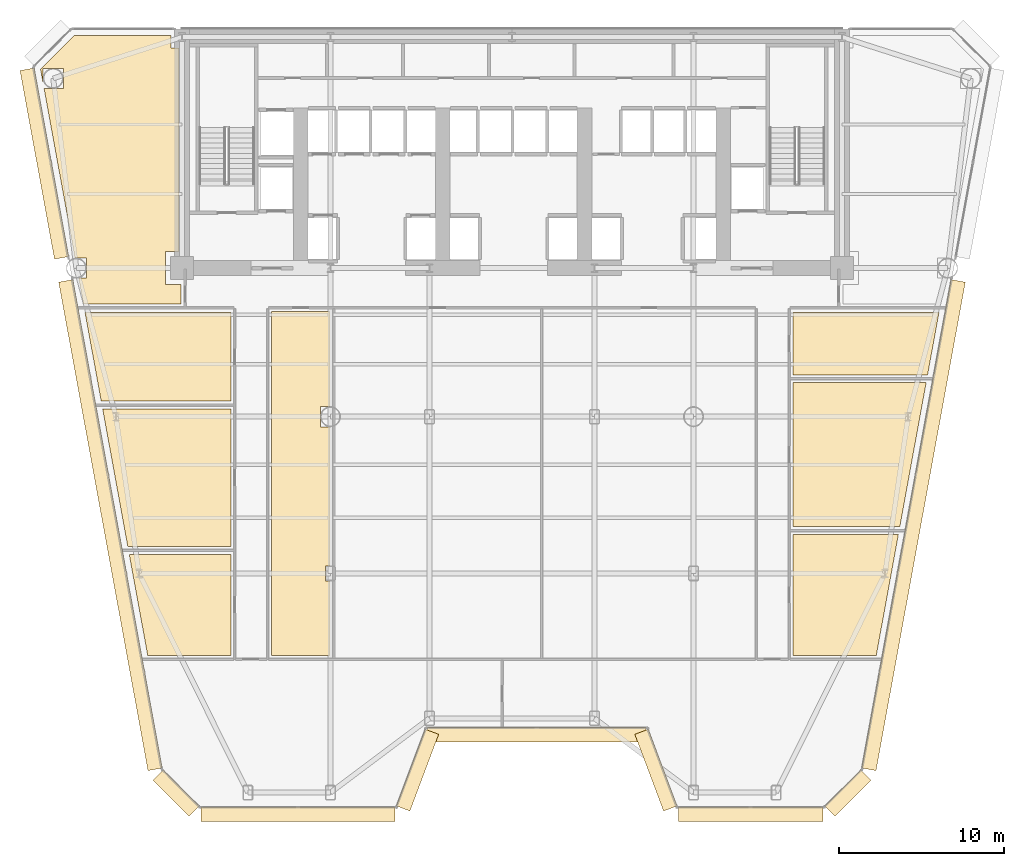
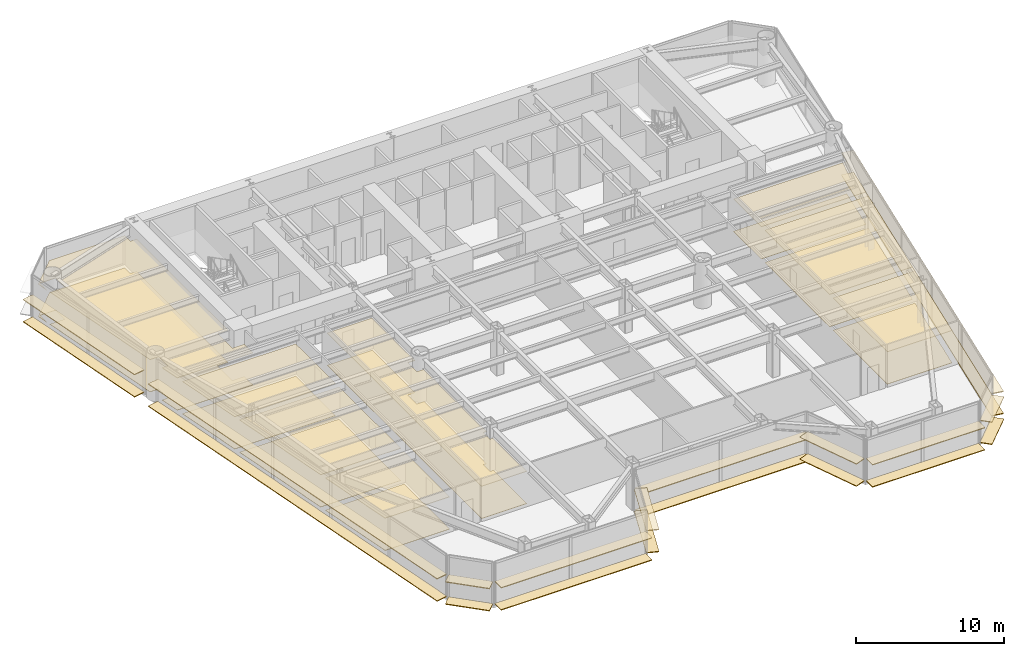
# One storey, part 11 of 14: 36 coverings.
"""IFC4 building model written with IfcOpenShell, lengths in metres."""

from ifc_helpers import new_model, si_unit, direction, frame, origin, origin_2d, place, context, subcontext, project, spatial, polyline, rectangle, outline, extrude, source, transform, mapped, material, layer, layer_set, type_object, element, save


model = new_model("IFC4")

# Units and contexts
model_context = context("Model", 3, precision=1e-05, world=origin(), true_north=direction((0.0, 1.0)))
body_context = subcontext(model_context, "Body", "Model", "MODEL_VIEW")
ifc_project = project(units=[si_unit("LENGTHUNIT", "METRE"), si_unit("AREAUNIT", "SQUARE_METRE"), si_unit("VOLUMEUNIT", "CUBIC_METRE"), si_unit("PLANEANGLEUNIT", "RADIAN"), si_unit("MASSUNIT", "GRAM", prefix="KILO")], contexts=[model_context])

# Site, building, storey
site_placement = place(None, origin())
site = spatial("IfcSite", under=ifc_project, at=site_placement, CompositionType="ELEMENT")
building_placement = place(site_placement, origin())
building = spatial("IfcBuilding", under=site, at=building_placement, Name="Vaeldorn Concourse Tower", CompositionType="ELEMENT")
storey_placement = place(building_placement, frame((0.0, 0.0, 79.60009765625)))
storey = spatial("IfcBuildingStorey", under=building, at=storey_placement, Name="L20", CompositionType="ELEMENT", Elevation=79.60009765625)

# Coverings
ifc_material_1 = material(Name="Acoustic Mineral Fibre Board", Category="gypsum")
ifc_layer_1 = layer(ifc_material_1, 0.0400390625)
ifc_layer_set_1 = layer_set([ifc_layer_1], Name="Acoustic Mineral Fibre Board")
covering_type_1 = type_object("IfcCoveringType", Name="COV-CEIL-ACOUSTIC", PredefinedType="CEILING", material=ifc_layer_set_1)
covering_1_placement = place(storey_placement, frame((0.0, 0.0, 2.64990234375)))
element("IfcCovering", 1, at=covering_1_placement, inside=storey, type_object=covering_type_1, Name="Suspended Acoustic Ceiling L20-4", PredefinedType="CEILING", context=body_context, shape_type="SweptSolid", body=[
    extrude(outline(polyline([(7.4658203125, 50.60009765625), (13.340087890625, 50.60009765625), (13.340087890625, 49.840087890625), (13.820068359375, 49.840087890625), (13.820068359375, 37.5), (13.0, 37.5), (13.0, 35.5), (13.93994140625, 35.5), (13.93994140625, 34.340087890625), (8.031982421875, 34.340087890625), (7.787109375, 35.679931640625), (7.787109375, 35.679931640625), (7.74853515625, 35.890380859375), (8.20947265625, 35.890380859375), (8.20947265625, 37.109619140625), (7.525634765625, 37.109619140625), (5.64599609375, 47.390380859375), (6.8095703125, 47.390380859375), (6.8095703125, 48.609619140625), (5.590576171875, 48.609619140625), (5.590576171875, 47.6943359375), (5.43115234375, 48.5654296875), (7.4658203125, 50.60009765625)])), origin(), (0.0, 0.0, 1.0), 0.0400390625),
])
covering_2_placement = place(storey_placement, frame((0.0, 0.0, 2.64990234375)))
element("IfcCovering", 2, at=covering_2_placement, inside=storey, type_object=covering_type_1, Name="Suspended Acoustic Ceiling L20-6", PredefinedType="CEILING", context=body_context, shape_type="SweptSolid", body=[
    extrude(outline(polyline([(16.9599609375, 19.159912109375), (16.9599609375, 13.0400390625), (11.92626953125, 13.0400390625), (11.299560546875, 16.468017578125), (10.807373046875, 19.159912109375), (16.9599609375, 19.159912109375)])), origin(), (0.0, 0.0, 1.0), 0.0400390625),
])
covering_3_placement = place(storey_placement, frame((0.0, 0.0, 2.64990234375)))
element("IfcCovering", 3, at=covering_3_placement, inside=storey, type_object=covering_type_1, Name="Suspended Acoustic Ceiling L20-7", PredefinedType="CEILING", context=body_context, shape_type="SweptSolid", body=[
    extrude(outline(polyline([(16.9599609375, 27.9599609375), (16.9599609375, 19.639892578125), (10.719482421875, 19.639892578125), (9.198486328125, 27.9599609375), (16.9599609375, 27.9599609375)])), origin(), (0.0, 0.0, 1.0), 0.0400390625),
])
covering_4_placement = place(storey_placement, frame((0.0, 0.0, 2.64990234375)))
element("IfcCovering", 4, at=covering_4_placement, inside=storey, type_object=covering_type_1, Name="Suspended Acoustic Ceiling L20-8", PredefinedType="CEILING", context=body_context, shape_type="SweptSolid", body=[
    extrude(outline(polyline([(16.9599609375, 33.800048828125), (16.9599609375, 28.43994140625), (9.110595703125, 28.43994140625), (8.130859375, 33.800048828125), (16.9599609375, 33.800048828125)])), origin(), (0.0, 0.0, 1.0), 0.0400390625),
])
covering_5_placement = place(storey_placement, frame((0.0, 0.0, 2.64990234375)))
element("IfcCovering", 5, at=covering_5_placement, inside=storey, type_object=covering_type_1, Name="Suspended Acoustic Ceiling L20-9", PredefinedType="CEILING", context=body_context, shape_type="SweptSolid", body=[
    extrude(outline(polyline([(51.0400390625, 13.0400390625), (51.0400390625, 20.360107421875), (57.412109375, 20.360107421875), (56.679931640625, 16.35546875), (56.07373046875, 13.0400390625), (51.0400390625, 13.0400390625)])), origin(), (0.0, 0.0, 1.0), 0.0400390625),
])
covering_6_placement = place(storey_placement, frame((0.0, 0.0, 2.64990234375)))
element("IfcCovering", 6, at=covering_6_placement, inside=storey, type_object=covering_type_1, Name="Suspended Acoustic Ceiling L20-10", PredefinedType="CEILING", context=body_context, shape_type="SweptSolid", body=[
    extrude(outline(polyline([(51.0400390625, 20.840087890625), (51.0400390625, 29.56005859375), (59.093994140625, 29.56005859375), (57.499755859375, 20.840087890625), (51.0400390625, 20.840087890625)])), origin(), (0.0, 0.0, 1.0), 0.0400390625),
])
covering_7_placement = place(storey_placement, frame((0.0, 0.0, 2.64990234375)))
element("IfcCovering", 7, at=covering_7_placement, inside=storey, type_object=covering_type_1, Name="Suspended Acoustic Ceiling L20-11", PredefinedType="CEILING", context=body_context, shape_type="SweptSolid", body=[
    extrude(outline(polyline([(51.0400390625, 30.0400390625), (51.0400390625, 33.800048828125), (59.869140625, 33.800048828125), (59.181884765625, 30.0400390625), (51.0400390625, 30.0400390625)])), origin(), (0.0, 0.0, 1.0), 0.0400390625),
])
covering_8_placement = place(storey_placement, frame((0.0, 0.0, 2.64990234375)))
element("IfcCovering", 8, at=covering_8_placement, inside=storey, type_object=covering_type_1, Name="Suspended Acoustic Ceiling L20-12", PredefinedType="CEILING", context=body_context, shape_type="SweptSolid", body=[
    extrude(outline(polyline([(19.43994140625, 33.860107421875), (22.9599609375, 33.860107421875), (22.9599609375, 28.109619140625), (22.390380859375, 28.109619140625), (22.390380859375, 26.890380859375), (22.9599609375, 26.890380859375), (22.9599609375, 18.449951171875), (22.699951171875, 18.449951171875), (22.699951171875, 17.550048828125), (22.9599609375, 17.550048828125), (22.9599609375, 13.0400390625), (19.43994140625, 13.0400390625), (19.43994140625, 33.860107421875)])), origin(), (0.0, 0.0, 1.0), 0.0400390625),
])
ifc_material_2 = material(Name="Honed Limestone Terrazzo Flooring", Category="masonry")
ifc_layer_2 = layer(ifc_material_2, 0.0400390625)
ifc_layer_set_2 = layer_set([ifc_layer_2], Name="Honed Limestone Terrazzo Flooring")
covering_type_2 = type_object("IfcCoveringType", Name="COV-FLOOR-STONE", PredefinedType="FLOORING", material=ifc_layer_set_2)
covering_9_placement = place(storey_placement, origin())
element("IfcCovering", 9, at=covering_9_placement, inside=storey, type_object=covering_type_2, Name="Floor Finish Covering L20-4", PredefinedType="FLOORING", context=body_context, shape_type="SweptSolid", body=[
    extrude(outline(polyline([(7.4658203125, 50.60009765625), (13.340087890625, 50.60009765625), (13.340087890625, 49.840087890625), (13.820068359375, 49.840087890625), (13.820068359375, 37.5), (13.0, 37.5), (13.0, 35.5), (13.93994140625, 35.5), (13.93994140625, 34.340087890625), (8.031982421875, 34.340087890625), (7.787109375, 35.679931640625), (7.787109375, 35.679931640625), (7.74853515625, 35.890380859375), (8.20947265625, 35.890380859375), (8.20947265625, 37.109619140625), (7.525634765625, 37.109619140625), (5.64599609375, 47.390380859375), (6.8095703125, 47.390380859375), (6.8095703125, 48.609619140625), (5.590576171875, 48.609619140625), (5.590576171875, 47.6943359375), (5.43115234375, 48.5654296875), (7.4658203125, 50.60009765625)])), origin(), (0.0, 0.0, 1.0), 0.02978515625),
])
covering_10_placement = place(storey_placement, origin())
element("IfcCovering", 10, at=covering_10_placement, inside=storey, type_object=covering_type_2, Name="Floor Finish Covering L20-6", PredefinedType="FLOORING", context=body_context, shape_type="SweptSolid", body=[
    extrude(outline(polyline([(16.9599609375, 19.159912109375), (16.9599609375, 13.0400390625), (11.92626953125, 13.0400390625), (11.299560546875, 16.468017578125), (10.807373046875, 19.159912109375), (16.9599609375, 19.159912109375)])), origin(), (0.0, 0.0, 1.0), 0.02978515625),
])
covering_11_placement = place(storey_placement, origin())
element("IfcCovering", 11, at=covering_11_placement, inside=storey, type_object=covering_type_2, Name="Floor Finish Covering L20-7", PredefinedType="FLOORING", context=body_context, shape_type="SweptSolid", body=[
    extrude(outline(polyline([(16.9599609375, 27.9599609375), (16.9599609375, 19.639892578125), (10.719482421875, 19.639892578125), (9.198486328125, 27.9599609375), (16.9599609375, 27.9599609375)])), origin(), (0.0, 0.0, 1.0), 0.02978515625),
])
covering_12_placement = place(storey_placement, origin())
element("IfcCovering", 12, at=covering_12_placement, inside=storey, type_object=covering_type_2, Name="Floor Finish Covering L20-8", PredefinedType="FLOORING", context=body_context, shape_type="SweptSolid", body=[
    extrude(outline(polyline([(16.9599609375, 33.800048828125), (16.9599609375, 28.43994140625), (9.110595703125, 28.43994140625), (8.130859375, 33.800048828125), (16.9599609375, 33.800048828125)])), origin(), (0.0, 0.0, 1.0), 0.02978515625),
])
covering_13_placement = place(storey_placement, origin())
element("IfcCovering", 13, at=covering_13_placement, inside=storey, type_object=covering_type_2, Name="Floor Finish Covering L20-9", PredefinedType="FLOORING", context=body_context, shape_type="SweptSolid", body=[
    extrude(outline(polyline([(51.0400390625, 13.0400390625), (51.0400390625, 20.360107421875), (57.412109375, 20.360107421875), (56.679931640625, 16.35546875), (56.07373046875, 13.0400390625), (51.0400390625, 13.0400390625)])), origin(), (0.0, 0.0, 1.0), 0.02978515625),
])
covering_14_placement = place(storey_placement, origin())
element("IfcCovering", 14, at=covering_14_placement, inside=storey, type_object=covering_type_2, Name="Floor Finish Covering L20-10", PredefinedType="FLOORING", context=body_context, shape_type="SweptSolid", body=[
    extrude(outline(polyline([(51.0400390625, 20.840087890625), (51.0400390625, 29.56005859375), (59.093994140625, 29.56005859375), (57.499755859375, 20.840087890625), (51.0400390625, 20.840087890625)])), origin(), (0.0, 0.0, 1.0), 0.02978515625),
])
covering_15_placement = place(storey_placement, origin())
element("IfcCovering", 15, at=covering_15_placement, inside=storey, type_object=covering_type_2, Name="Floor Finish Covering L20-11", PredefinedType="FLOORING", context=body_context, shape_type="SweptSolid", body=[
    extrude(outline(polyline([(51.0400390625, 30.0400390625), (51.0400390625, 33.800048828125), (59.869140625, 33.800048828125), (59.181884765625, 30.0400390625), (51.0400390625, 30.0400390625)])), origin(), (0.0, 0.0, 1.0), 0.02978515625),
])
covering_16_placement = place(storey_placement, origin())
element("IfcCovering", 16, at=covering_16_placement, inside=storey, type_object=covering_type_2, Name="Floor Finish Covering L20-12", PredefinedType="FLOORING", context=body_context, shape_type="SweptSolid", body=[
    extrude(outline(polyline([(19.43994140625, 33.860107421875), (22.9599609375, 33.860107421875), (22.9599609375, 28.109619140625), (22.390380859375, 28.109619140625), (22.390380859375, 26.890380859375), (22.9599609375, 26.890380859375), (22.9599609375, 18.449951171875), (22.699951171875, 18.449951171875), (22.699951171875, 17.550048828125), (22.9599609375, 17.550048828125), (22.9599609375, 13.0400390625), (19.43994140625, 13.0400390625), (19.43994140625, 33.860107421875)])), origin(), (0.0, 0.0, 1.0), 0.02978515625),
])
ifc_material_3 = material(Name="Anodised Bronze Aluminium", Category="aluminium")
ifc_layer_3 = layer(ifc_material_3, 0.06494140625)
ifc_layer_set_3 = layer_set([ifc_layer_3], Name="Anodised Bronze Aluminium")
covering_type_3 = type_object("IfcCoveringType", Name="SD-BRONZE-SUNSHADE", PredefinedType="USERDEFINED", material=ifc_layer_set_3)
shared_shape_1 = source(origin(), body_context, "Body", "SweptSolid", [
    extrude(rectangle(XDim=4.96630859375, YDim=0.8798828125, at=origin_2d()), origin(), (0.0, 0.0, 1.0), 0.06494140625),
])
for number, where, z_axis, x_axis, name in (
    (17, (28.2744140625, 6.084716796875, 0.04736328125), (0.0, 0.0, 1.0), (0.351122702609, 0.936329454686, 0.0), "Horizontal Bronze Sunshade L20-E02.1.1"),
    (18, (28.2744140625, 6.084716796875, 1.867431640625), (0.0, 0.0, 1.0), (0.351122702609, 0.936329454686, 0.0), "Horizontal Bronze Sunshade L20-E02.1.2"),
    (19, (42.7255859375, 6.084716796875, 0.04736328125), (0.0, 0.0, 1.0), (0.351122702609, -0.936329454686, 0.0), "Horizontal Bronze Sunshade L20-E04.1.1"),
    (20, (42.7255859375, 6.084716796875, 1.867431640625), (0.0, 0.0, 1.0), (0.351122702609, -0.936329454686, 0.0), "Horizontal Bronze Sunshade L20-E04.1.2"),
):
    element("IfcCovering", number, at=place(storey_placement, frame(where, z_axis=z_axis, x_axis=x_axis)), inside=storey, type_object=covering_type_3, Name=name, ObjectType="SUNSHADE", PredefinedType="USERDEFINED", context=body_context, shape_type="MappedRepresentation", body=[
        mapped(shared_shape_1, transform((0.0, 0.0, 0.0), scale=1.0)),
    ])
shared_shape_2 = source(origin(), body_context, "Body", "SweptSolid", [
    extrude(rectangle(XDim=13.239990234375, YDim=0.8798828125, at=origin_2d()), origin(), (0.0, 0.0, 1.0), 0.06494140625),
])
for number, where, z_axis, x_axis, name in (
    (21, (35.5, 8.22509765625, 0.04736328125), (0.0, 0.0, 1.0), (1.0, 0.0, 0.0), "Horizontal Bronze Sunshade L20-E03.1.1"),
    (22, (35.5, 8.22509765625, 1.867431640625), (0.0, 0.0, 1.0), (1.0, 0.0, 0.0), "Horizontal Bronze Sunshade L20-E03.1.2"),
):
    element("IfcCovering", number, at=place(storey_placement, frame(where, z_axis=z_axis, x_axis=x_axis)), inside=storey, type_object=covering_type_3, Name=name, ObjectType="SUNSHADE", PredefinedType="USERDEFINED", context=body_context, shape_type="MappedRepresentation", body=[
        mapped(shared_shape_2, transform((0.0, 0.0, 0.0), scale=1.0)),
    ])
shared_shape_3 = source(origin(), body_context, "Body", "SweptSolid", [
    extrude(rectangle(XDim=3.0927734375, YDim=0.8798828125, at=origin_2d()), origin(), (0.0, 0.0, 1.0), 0.06494140625),
])
for number, where, z_axis, x_axis, name in (
    (23, (54.34912109375, 4.6923828125, 0.04736328125), (0.0, 0.0, 1.0), (0.707106781187, 0.707106781187, 0.0), "Horizontal Bronze Sunshade L20-E06.1.1"),
    (24, (54.34912109375, 4.6923828125, 1.867431640625), (0.0, 0.0, 1.0), (0.707106781187, 0.707106781187, 0.0), "Horizontal Bronze Sunshade L20-E06.1.2"),
    (25, (13.65087890625, 4.6923828125, 0.04736328125), (0.0, 0.0, 1.0), (0.707106781187, -0.707106781187, 0.0), "Horizontal Bronze Sunshade L20-E12.1.1"),
    (26, (13.65087890625, 4.6923828125, 1.867431640625), (0.0, 0.0, 1.0), (0.707106781187, -0.707106781187, 0.0), "Horizontal Bronze Sunshade L20-E12.1.2"),
):
    element("IfcCovering", number, at=place(storey_placement, frame(where, z_axis=z_axis, x_axis=x_axis)), inside=storey, type_object=covering_type_3, Name=name, ObjectType="SUNSHADE", PredefinedType="USERDEFINED", context=body_context, shape_type="MappedRepresentation", body=[
        mapped(shared_shape_3, transform((0.0, 0.0, 0.0), scale=1.0)),
    ])
shared_shape_4 = source(origin(), body_context, "Body", "SweptSolid", [
    extrude(rectangle(XDim=11.6123046875, YDim=0.8798828125, at=origin_2d()), origin(), (0.0, 0.0, 1.0), 0.06494140625),
])
for number, where, z_axis, x_axis, name in (
    (27, (5.6650390625, 42.837890625, 0.04736328125), (0.0, 0.0, 1.0), (0.17984960762, -0.983694118433, 0.0), "Horizontal Bronze Sunshade L20-E11.1.1"),
    (28, (5.6650390625, 42.837890625, 1.867431640625), (0.0, 0.0, 1.0), (0.17984960762, -0.983694118433, 0.0), "Horizontal Bronze Sunshade L20-E11.1.2"),
):
    element("IfcCovering", number, at=place(storey_placement, frame(where, z_axis=z_axis, x_axis=x_axis)), inside=storey, type_object=covering_type_3, Name=name, ObjectType="SUNSHADE", PredefinedType="USERDEFINED", context=body_context, shape_type="MappedRepresentation", body=[
        mapped(shared_shape_4, transform((0.0, 0.0, 0.0), scale=1.0)),
    ])
shared_shape_5 = source(origin(), body_context, "Body", "SweptSolid", [
    extrude(rectangle(XDim=11.756103515625, YDim=0.8798828125, at=origin_2d()), origin(), (0.0, 0.0, 1.0), 0.06494140625),
])
for number, where, z_axis, x_axis, name in (
    (29, (21.0419921875, 3.42529296875, 0.04736328125), (0.0, 0.0, 1.0), (1.0, 0.0, 0.0), "Horizontal Bronze Sunshade L20-E01.1.1"),
    (30, (21.0419921875, 3.42529296875, 1.867431640625), (0.0, 0.0, 1.0), (1.0, 0.0, 0.0), "Horizontal Bronze Sunshade L20-E01.1.2"),
):
    element("IfcCovering", number, at=place(storey_placement, frame(where, z_axis=z_axis, x_axis=x_axis)), inside=storey, type_object=covering_type_3, Name=name, ObjectType="SUNSHADE", PredefinedType="USERDEFINED", context=body_context, shape_type="MappedRepresentation", body=[
        mapped(shared_shape_5, transform((0.0, 0.0, 0.0), scale=1.0)),
    ])
shared_shape_6 = source(origin(), body_context, "Body", "SweptSolid", [
    extrude(rectangle(XDim=8.756103515625, YDim=0.8798828125, at=origin_2d()), origin(), (0.0, 0.0, 1.0), 0.06494140625),
])
for number, where, z_axis, x_axis, name in (
    (31, (48.4580078125, 3.42529296875, 0.04736328125), (0.0, 0.0, 1.0), (1.0, 0.0, 0.0), "Horizontal Bronze Sunshade L20-E05.1.1"),
    (32, (48.4580078125, 3.42529296875, 1.867431640625), (0.0, 0.0, 1.0), (1.0, 0.0, 0.0), "Horizontal Bronze Sunshade L20-E05.1.2"),
):
    element("IfcCovering", number, at=place(storey_placement, frame(where, z_axis=z_axis, x_axis=x_axis)), inside=storey, type_object=covering_type_3, Name=name, ObjectType="SUNSHADE", PredefinedType="USERDEFINED", context=body_context, shape_type="MappedRepresentation", body=[
        mapped(shared_shape_6, transform((0.0, 0.0, 0.0), scale=1.0)),
    ])
shared_shape_7 = source(origin(), body_context, "Body", "SweptSolid", [
    extrude(rectangle(XDim=30.08837890625, YDim=0.8798828125, at=origin_2d()), origin(), (0.0, 0.0, 1.0), 0.06494140625),
])
for number, where, z_axis, x_axis, name in (
    (33, (58.32958984375, 20.930908203125, 0.04736328125), (0.0, 0.0, 1.0), (0.17984960762, 0.983694118433, 0.0), "Horizontal Bronze Sunshade L20-E07.1.1"),
    (34, (58.32958984375, 20.930908203125, 1.867431640625), (0.0, 0.0, 1.0), (0.17984960762, 0.983694118433, 0.0), "Horizontal Bronze Sunshade L20-E07.1.2"),
    (35, (9.67041015625, 20.930908203125, 0.04736328125), (0.0, 0.0, 1.0), (0.17984960762, -0.983694118433, 0.0), "Horizontal Bronze Sunshade L20-E11.2.1"),
    (36, (9.67041015625, 20.930908203125, 1.867431640625), (0.0, 0.0, 1.0), (0.17984960762, -0.983694118433, 0.0), "Horizontal Bronze Sunshade L20-E11.2.2"),
):
    element("IfcCovering", number, at=place(storey_placement, frame(where, z_axis=z_axis, x_axis=x_axis)), inside=storey, type_object=covering_type_3, Name=name, ObjectType="SUNSHADE", PredefinedType="USERDEFINED", context=body_context, shape_type="MappedRepresentation", body=[
        mapped(shared_shape_7, transform((0.0, 0.0, 0.0), scale=1.0)),
    ])

save(model, "model.ifc")
